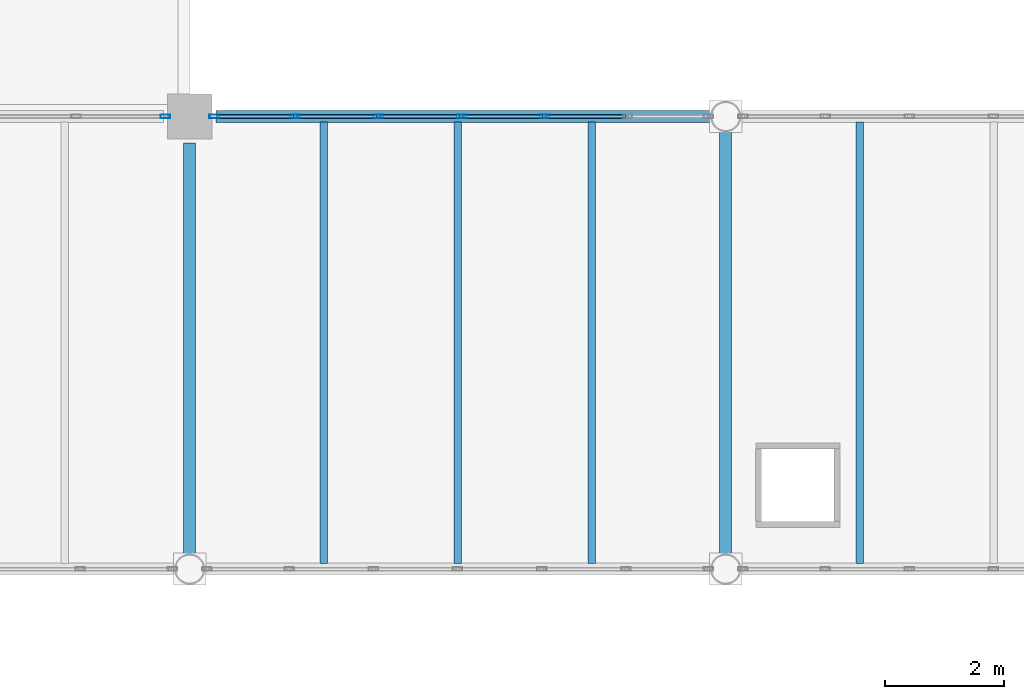
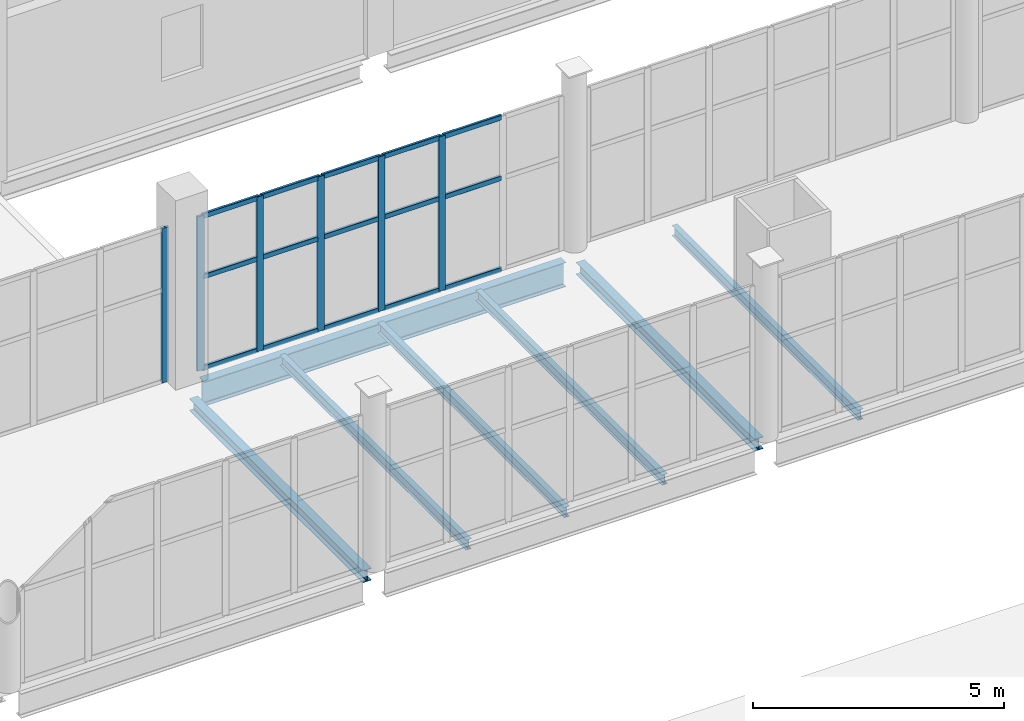
# One storey, part 64 of 136: 21 members, 7 beams, 2 elements without a shape of their own.
"""IFC4 building model written with IfcOpenShell, lengths in metres."""

from ifc_helpers import new_model, si_unit, direction, frame, origin, origin_2d, place, context, subcontext, project, spatial, hollow_rectangle, i_section, extrude, material, material_profile, profile_set, type_object, element, aggregate, save


model = new_model("IFC4")

# Units and contexts
model_context = context("Model", 3, precision=1e-05, world=origin(), true_north=direction((0.0, 1.0)))
body_context = subcontext(model_context, "Body", "Model", "MODEL_VIEW")
ifc_project = project(units=[si_unit("LENGTHUNIT", "METRE"), si_unit("AREAUNIT", "SQUARE_METRE"), si_unit("VOLUMEUNIT", "CUBIC_METRE"), si_unit("PLANEANGLEUNIT", "RADIAN"), si_unit("MASSUNIT", "GRAM", prefix="KILO")], contexts=[model_context])

# Site, building, storey
site_placement = place(None, origin())
site = spatial("IfcSite", under=ifc_project, at=site_placement, CompositionType="ELEMENT")
building_placement = place(site_placement, origin())
building = spatial("IfcBuilding", under=site, at=building_placement, Name="Shengluoqiao Park Theatre", CompositionType="ELEMENT")
storey_placement = place(building_placement, frame((0.0, 0.0, 10.0)))
storey = spatial("IfcBuildingStorey", under=building, at=storey_placement, Name="L02", CompositionType="ELEMENT", Elevation=10.0)

# Curtain wall, member
ifc_material_1 = material(Name="Aluminium 6063-T6", Category="aluminium")
curtain_wall_type = type_object("IfcCurtainWallType", Name="ENV-CW-BRIDGE", PredefinedType="NOTDEFINED", material=ifc_material_1)
curtain_wall_1_placement = place(storey_placement, origin())
curtain_wall_1 = element("IfcCurtainWall", 1, at=curtain_wall_1_placement, inside=storey, type_object=curtain_wall_type, Name="L02 Curtain Wall CWX-L02-0117", PredefinedType="NOTDEFINED")
ifc_material_profile_1 = material_profile(ifc_material_1, hollow_rectangle(XDim=0.06005859375, YDim=0.159912109375, WallThickness=0.00390625, InnerFilletRadius=0.00390625, OuterFilletRadius=0.008056640625, at=origin_2d()), Name="ALU MULLION 160x60x4")
ifc_profile_set_1 = profile_set([ifc_material_profile_1], Name="Aluminium 6063-T6")
member_type_1 = type_object("IfcMemberType", Name="ENV-MUL-160", PredefinedType="MULLION", material=ifc_profile_set_1)
member_1_placement = place(storey_placement, frame((111.990966796875, 76.0, 0.0), z_axis=(0.0, 0.0, 1.0), x_axis=(0.0, 1.0, 0.0)))
member_1 = element("IfcMember", 2, at=member_1_placement, type_object=member_type_1, Name="CW-03 mullion 6", PredefinedType="MULLION", context=body_context, shape_type="SweptSolid", body=[
    extrude(hollow_rectangle(XDim=0.06005859375, YDim=0.159912109375, WallThickness=0.00390625, InnerFilletRadius=0.00390625, OuterFilletRadius=0.008056640625, at=origin_2d()), origin(), (0.0, 0.0, 1.0), 3.751953125),
])
aggregate(curtain_wall_1, [member_1])

# Curtain wall, members
curtain_wall_2_placement = place(storey_placement, origin())
curtain_wall_2 = element("IfcCurtainWall", 3, at=curtain_wall_2_placement, inside=storey, type_object=curtain_wall_type, Name="L02 Curtain Wall CWX-L02-0118", PredefinedType="NOTDEFINED")
member_2_placement = place(storey_placement, frame((112.80908203125, 76.0, 0.0), z_axis=(0.0, 0.0, 1.0), x_axis=(0.0, 1.0, 0.0)))
member_2 = element("IfcMember", 4, at=member_2_placement, type_object=member_type_1, Name="CW-03 mullion 1", PredefinedType="MULLION", context=body_context, shape_type="SweptSolid", body=[
    extrude(hollow_rectangle(XDim=0.06005859375, YDim=0.159912109375, WallThickness=0.00390625, InnerFilletRadius=0.00390625, OuterFilletRadius=0.008056640625, at=origin_2d()), origin(), (0.0, 0.0, 1.0), 3.751953125),
])
member_3_placement = place(storey_placement, frame((114.1728515625, 76.0, 0.0), z_axis=(0.0, 0.0, 1.0), x_axis=(0.0, 1.0, 0.0)))
member_3 = element("IfcMember", 5, at=member_3_placement, type_object=member_type_1, Name="CW-03 mullion 2", PredefinedType="MULLION", context=body_context, shape_type="SweptSolid", body=[
    extrude(hollow_rectangle(XDim=0.06005859375, YDim=0.159912109375, WallThickness=0.00390625, InnerFilletRadius=0.00390625, OuterFilletRadius=0.008056640625, at=origin_2d()), origin(), (0.0, 0.0, 1.0), 3.751953125),
])
member_4_placement = place(storey_placement, frame((115.566650390625, 76.0, 0.0), z_axis=(0.0, 0.0, 1.0), x_axis=(0.0, 1.0, 0.0)))
member_4 = element("IfcMember", 6, at=member_4_placement, type_object=member_type_1, Name="CW-03 mullion 3", PredefinedType="MULLION", context=body_context, shape_type="SweptSolid", body=[
    extrude(hollow_rectangle(XDim=0.06005859375, YDim=0.159912109375, WallThickness=0.00390625, InnerFilletRadius=0.00390625, OuterFilletRadius=0.008056640625, at=origin_2d()), origin(), (0.0, 0.0, 1.0), 3.751953125),
])
member_5_placement = place(storey_placement, frame((116.96044921875, 76.0, 0.0), z_axis=(0.0, 0.0, 1.0), x_axis=(0.0, 1.0, 0.0)))
member_5 = element("IfcMember", 7, at=member_5_placement, type_object=member_type_1, Name="CW-03 mullion 4", PredefinedType="MULLION", context=body_context, shape_type="SweptSolid", body=[
    extrude(hollow_rectangle(XDim=0.06005859375, YDim=0.159912109375, WallThickness=0.00390625, InnerFilletRadius=0.00390625, OuterFilletRadius=0.008056640625, at=origin_2d()), origin(), (0.0, 0.0, 1.0), 3.751953125),
])
member_6_placement = place(storey_placement, frame((118.354248046875, 76.0, 0.0), z_axis=(0.0, 0.0, 1.0), x_axis=(0.0, 1.0, 0.0)))
member_6 = element("IfcMember", 8, at=member_6_placement, type_object=member_type_1, Name="CW-03 mullion 5", PredefinedType="MULLION", context=body_context, shape_type="SweptSolid", body=[
    extrude(hollow_rectangle(XDim=0.06005859375, YDim=0.159912109375, WallThickness=0.00390625, InnerFilletRadius=0.00390625, OuterFilletRadius=0.008056640625, at=origin_2d()), origin(), (0.0, 0.0, 1.0), 3.751953125),
])
ifc_material_profile_2 = material_profile(ifc_material_1, hollow_rectangle(XDim=0.06005859375, YDim=0.1201171875, WallThickness=0.00390625, InnerFilletRadius=0.00390625, OuterFilletRadius=0.008056640625, at=origin_2d()), Name="ALU TRANSOM 120x60x4")
ifc_profile_set_2 = profile_set([ifc_material_profile_2], Name="Aluminium 6063-T6")
member_type_2 = type_object("IfcMemberType", Name="ENV-TRN-120", PredefinedType="USERDEFINED", material=ifc_profile_set_2)
member_7_placement = place(storey_placement, frame((112.839111328125, 76.0, 0.030029296875), z_axis=(1.0, 0.0, 0.0), x_axis=(0.0, 1.0, 0.0)))
member_7 = element("IfcMember", 9, at=member_7_placement, type_object=member_type_2, Name="CW-03 transom 1.1", ObjectType="TRANSOM", PredefinedType="USERDEFINED", context=body_context, shape_type="SweptSolid", body=[
    extrude(hollow_rectangle(XDim=0.06005859375, YDim=0.1201171875, WallThickness=0.00390625, InnerFilletRadius=0.00390625, OuterFilletRadius=0.008056640625, at=origin_2d()), origin(), (0.0, 0.0, 1.0), 1.3037109375),
])
member_8_placement = place(storey_placement, frame((112.839111328125, 76.0, 2.2509765625), z_axis=(1.0, 0.0, 0.0), x_axis=(0.0, 1.0, 0.0)))
member_8 = element("IfcMember", 10, at=member_8_placement, type_object=member_type_2, Name="CW-03 transom 1.2", ObjectType="TRANSOM", PredefinedType="USERDEFINED", context=body_context, shape_type="SweptSolid", body=[
    extrude(hollow_rectangle(XDim=0.06005859375, YDim=0.1201171875, WallThickness=0.00390625, InnerFilletRadius=0.00390625, OuterFilletRadius=0.008056640625, at=origin_2d()), origin(), (0.0, 0.0, 1.0), 1.3037109375),
])
member_9_placement = place(storey_placement, frame((112.839111328125, 76.0, 3.721923828125), z_axis=(1.0, 0.0, 0.0), x_axis=(0.0, 1.0, 0.0)))
member_9 = element("IfcMember", 11, at=member_9_placement, type_object=member_type_2, Name="CW-03 transom 1.3", ObjectType="TRANSOM", PredefinedType="USERDEFINED", context=body_context, shape_type="SweptSolid", body=[
    extrude(hollow_rectangle(XDim=0.06005859375, YDim=0.1201171875, WallThickness=0.00390625, InnerFilletRadius=0.00390625, OuterFilletRadius=0.008056640625, at=origin_2d()), origin(), (0.0, 0.0, 1.0), 1.3037109375),
])
member_10_placement = place(storey_placement, frame((114.202880859375, 76.0, 0.030029296875), z_axis=(1.0, 0.0, 0.0), x_axis=(0.0, 1.0, 0.0)))
member_10 = element("IfcMember", 12, at=member_10_placement, type_object=member_type_2, Name="CW-03 transom 2.1", ObjectType="TRANSOM", PredefinedType="USERDEFINED", context=body_context, shape_type="SweptSolid", body=[
    extrude(hollow_rectangle(XDim=0.06005859375, YDim=0.1201171875, WallThickness=0.00390625, InnerFilletRadius=0.00390625, OuterFilletRadius=0.008056640625, at=origin_2d()), origin(), (0.0, 0.0, 1.0), 1.333740234375),
])
member_11_placement = place(storey_placement, frame((114.202880859375, 76.0, 2.2509765625), z_axis=(1.0, 0.0, 0.0), x_axis=(0.0, 1.0, 0.0)))
member_11 = element("IfcMember", 13, at=member_11_placement, type_object=member_type_2, Name="CW-03 transom 2.2", ObjectType="TRANSOM", PredefinedType="USERDEFINED", context=body_context, shape_type="SweptSolid", body=[
    extrude(hollow_rectangle(XDim=0.06005859375, YDim=0.1201171875, WallThickness=0.00390625, InnerFilletRadius=0.00390625, OuterFilletRadius=0.008056640625, at=origin_2d()), origin(), (0.0, 0.0, 1.0), 1.333740234375),
])
member_12_placement = place(storey_placement, frame((114.202880859375, 76.0, 3.721923828125), z_axis=(1.0, 0.0, 0.0), x_axis=(0.0, 1.0, 0.0)))
member_12 = element("IfcMember", 14, at=member_12_placement, type_object=member_type_2, Name="CW-03 transom 2.3", ObjectType="TRANSOM", PredefinedType="USERDEFINED", context=body_context, shape_type="SweptSolid", body=[
    extrude(hollow_rectangle(XDim=0.06005859375, YDim=0.1201171875, WallThickness=0.00390625, InnerFilletRadius=0.00390625, OuterFilletRadius=0.008056640625, at=origin_2d()), origin(), (0.0, 0.0, 1.0), 1.333740234375),
])
member_13_placement = place(storey_placement, frame((115.5966796875, 76.0, 0.030029296875), z_axis=(1.0, 0.0, 0.0), x_axis=(0.0, 1.0, 0.0)))
member_13 = element("IfcMember", 15, at=member_13_placement, type_object=member_type_2, Name="CW-03 transom 3.1", ObjectType="TRANSOM", PredefinedType="USERDEFINED", context=body_context, shape_type="SweptSolid", body=[
    extrude(hollow_rectangle(XDim=0.06005859375, YDim=0.1201171875, WallThickness=0.00390625, InnerFilletRadius=0.00390625, OuterFilletRadius=0.008056640625, at=origin_2d()), origin(), (0.0, 0.0, 1.0), 1.333740234375),
])
member_14_placement = place(storey_placement, frame((115.5966796875, 76.0, 2.2509765625), z_axis=(1.0, 0.0, 0.0), x_axis=(0.0, 1.0, 0.0)))
member_14 = element("IfcMember", 16, at=member_14_placement, type_object=member_type_2, Name="CW-03 transom 3.2", ObjectType="TRANSOM", PredefinedType="USERDEFINED", context=body_context, shape_type="SweptSolid", body=[
    extrude(hollow_rectangle(XDim=0.06005859375, YDim=0.1201171875, WallThickness=0.00390625, InnerFilletRadius=0.00390625, OuterFilletRadius=0.008056640625, at=origin_2d()), origin(), (0.0, 0.0, 1.0), 1.333740234375),
])
member_15_placement = place(storey_placement, frame((115.5966796875, 76.0, 3.721923828125), z_axis=(1.0, 0.0, 0.0), x_axis=(0.0, 1.0, 0.0)))
member_15 = element("IfcMember", 17, at=member_15_placement, type_object=member_type_2, Name="CW-03 transom 3.3", ObjectType="TRANSOM", PredefinedType="USERDEFINED", context=body_context, shape_type="SweptSolid", body=[
    extrude(hollow_rectangle(XDim=0.06005859375, YDim=0.1201171875, WallThickness=0.00390625, InnerFilletRadius=0.00390625, OuterFilletRadius=0.008056640625, at=origin_2d()), origin(), (0.0, 0.0, 1.0), 1.333740234375),
])
member_16_placement = place(storey_placement, frame((116.990478515625, 76.0, 0.030029296875), z_axis=(1.0, 0.0, 0.0), x_axis=(0.0, 1.0, 0.0)))
member_16 = element("IfcMember", 18, at=member_16_placement, type_object=member_type_2, Name="CW-03 transom 4.1", ObjectType="TRANSOM", PredefinedType="USERDEFINED", context=body_context, shape_type="SweptSolid", body=[
    extrude(hollow_rectangle(XDim=0.06005859375, YDim=0.1201171875, WallThickness=0.00390625, InnerFilletRadius=0.00390625, OuterFilletRadius=0.008056640625, at=origin_2d()), origin(), (0.0, 0.0, 1.0), 1.333740234375),
])
member_17_placement = place(storey_placement, frame((116.990478515625, 76.0, 2.2509765625), z_axis=(1.0, 0.0, 0.0), x_axis=(0.0, 1.0, 0.0)))
member_17 = element("IfcMember", 19, at=member_17_placement, type_object=member_type_2, Name="CW-03 transom 4.2", ObjectType="TRANSOM", PredefinedType="USERDEFINED", context=body_context, shape_type="SweptSolid", body=[
    extrude(hollow_rectangle(XDim=0.06005859375, YDim=0.1201171875, WallThickness=0.00390625, InnerFilletRadius=0.00390625, OuterFilletRadius=0.008056640625, at=origin_2d()), origin(), (0.0, 0.0, 1.0), 1.333740234375),
])
member_18_placement = place(storey_placement, frame((116.990478515625, 76.0, 3.721923828125), z_axis=(1.0, 0.0, 0.0), x_axis=(0.0, 1.0, 0.0)))
member_18 = element("IfcMember", 20, at=member_18_placement, type_object=member_type_2, Name="CW-03 transom 4.3", ObjectType="TRANSOM", PredefinedType="USERDEFINED", context=body_context, shape_type="SweptSolid", body=[
    extrude(hollow_rectangle(XDim=0.06005859375, YDim=0.1201171875, WallThickness=0.00390625, InnerFilletRadius=0.00390625, OuterFilletRadius=0.008056640625, at=origin_2d()), origin(), (0.0, 0.0, 1.0), 1.333740234375),
])
member_19_placement = place(storey_placement, frame((118.38427734375, 76.0, 0.030029296875), z_axis=(1.0, 0.0, 0.0), x_axis=(0.0, 1.0, 0.0)))
member_19 = element("IfcMember", 21, at=member_19_placement, type_object=member_type_2, Name="CW-03 transom 5.1", ObjectType="TRANSOM", PredefinedType="USERDEFINED", context=body_context, shape_type="SweptSolid", body=[
    extrude(hollow_rectangle(XDim=0.06005859375, YDim=0.1201171875, WallThickness=0.00390625, InnerFilletRadius=0.00390625, OuterFilletRadius=0.008056640625, at=origin_2d()), origin(), (0.0, 0.0, 1.0), 1.333984375),
])
member_20_placement = place(storey_placement, frame((118.38427734375, 76.0, 2.2509765625), z_axis=(1.0, 0.0, 0.0), x_axis=(0.0, 1.0, 0.0)))
member_20 = element("IfcMember", 22, at=member_20_placement, type_object=member_type_2, Name="CW-03 transom 5.2", ObjectType="TRANSOM", PredefinedType="USERDEFINED", context=body_context, shape_type="SweptSolid", body=[
    extrude(hollow_rectangle(XDim=0.06005859375, YDim=0.1201171875, WallThickness=0.00390625, InnerFilletRadius=0.00390625, OuterFilletRadius=0.008056640625, at=origin_2d()), origin(), (0.0, 0.0, 1.0), 1.333984375),
])
member_21_placement = place(storey_placement, frame((118.38427734375, 76.0, 3.721923828125), z_axis=(1.0, 0.0, 0.0), x_axis=(0.0, 1.0, 0.0)))
member_21 = element("IfcMember", 23, at=member_21_placement, type_object=member_type_2, Name="CW-03 transom 5.3", ObjectType="TRANSOM", PredefinedType="USERDEFINED", context=body_context, shape_type="SweptSolid", body=[
    extrude(hollow_rectangle(XDim=0.06005859375, YDim=0.1201171875, WallThickness=0.00390625, InnerFilletRadius=0.00390625, OuterFilletRadius=0.008056640625, at=origin_2d()), origin(), (0.0, 0.0, 1.0), 1.333984375),
])
aggregate(curtain_wall_2, [member_2, member_3, member_4, member_5, member_6, member_7, member_8, member_9, member_10, member_11, member_12, member_13, member_14, member_15, member_16, member_17, member_18, member_19, member_20, member_21])

# Beams
ifc_material_2 = material(Name="Steel Q355", Category="steel")
ifc_material_profile_3 = material_profile(ifc_material_2, i_section(OverallWidth=0.199951171875, OverallDepth=0.2939453125, WebThickness=0.008056640625, FlangeThickness=0.011962890625, FilletRadius=0.01611328125, at=origin_2d()), Name="HM 294x200x8x12")
ifc_profile_set_3 = profile_set([ifc_material_profile_3], Name="Steel Q355")
beam_type_1 = type_object("IfcBeamType", Name="STR-BM-G-HM294", PredefinedType="BEAM", material=ifc_profile_set_3)
beam_1_placement = place(storey_placement, frame((112.39990234375, 68.64794921875, -0.39697265625), z_axis=(0.0, 1.0, 0.0), x_axis=(-1.0, 0.0, 0.0)))
element("IfcBeam", 24, at=beam_1_placement, inside=storey, type_object=beam_type_1, Name="L02 Transverse Girder 01023", PredefinedType="BEAM", context=body_context, shape_type="SweptSolid", body=[
    extrude(i_section(OverallWidth=0.199951171875, OverallDepth=0.2939453125, WebThickness=0.008056640625, FlangeThickness=0.011962890625, FilletRadius=0.01611328125, at=origin_2d()), origin(), (0.0, 0.0, 1.0), 6.907958984375),
])
beam_2_placement = place(storey_placement, frame((121.39990234375, 68.64794921875, -0.35693359375), z_axis=(0.0, 1.0, 0.0), x_axis=(-1.0, 0.0, 0.0)))
element("IfcBeam", 25, at=beam_2_placement, inside=storey, type_object=beam_type_1, Name="L02 Transverse Girder 01024", PredefinedType="BEAM", context=body_context, shape_type="SweptSolid", body=[
    extrude(i_section(OverallWidth=0.199951171875, OverallDepth=0.2939453125, WebThickness=0.008056640625, FlangeThickness=0.011962890625, FilletRadius=0.01611328125, at=origin_2d()), origin(), (0.0, 0.0, 1.0), 7.10400390625),
])
ifc_material_profile_4 = material_profile(ifc_material_2, i_section(OverallWidth=0.125, OverallDepth=0.25, WebThickness=0.006103515625, FlangeThickness=0.009033203125, FilletRadius=0.010009765625, at=origin_2d()), Name="HN 250x125x6x9")
ifc_profile_set_4 = profile_set([ifc_material_profile_4], Name="Steel Q355")
beam_type_2 = type_object("IfcBeamType", Name="STR-BM-J-HN250", PredefinedType="JOIST", material=ifc_profile_set_4)
for number, where, z_axis, x_axis, name in (
    (26, (114.64990234375, 68.494384765625, -0.3349609375), (0.0, 1.0, 0.0), (-1.0, 0.0, 0.0), "L02 Composite Joist 01038"),
    (27, (116.89990234375, 68.494384765625, -0.3349609375), (0.0, 1.0, 0.0), (-1.0, 0.0, 0.0), "L02 Composite Joist 01039"),
    (28, (119.14990234375, 68.494384765625, -0.3349609375), (0.0, 1.0, 0.0), (-1.0, 0.0, 0.0), "L02 Composite Joist 01040"),
    (29, (123.64990234375, 68.494384765625, -0.3349609375), (0.0, 1.0, 0.0), (-1.0, 0.0, 0.0), "L02 Composite Joist 01041"),
):
    element("IfcBeam", number, at=place(storey_placement, frame(where, z_axis=z_axis, x_axis=x_axis)), inside=storey, type_object=beam_type_2, Name=name, PredefinedType="JOIST", context=body_context, shape_type="SweptSolid", body=[
        extrude(i_section(OverallWidth=0.125, OverallDepth=0.25, WebThickness=0.006103515625, FlangeThickness=0.009033203125, FilletRadius=0.010009765625, at=origin_2d()), origin(), (0.0, 0.0, 1.0), 7.4111328125),
    ])
ifc_material_profile_5 = material_profile(ifc_material_2, i_section(OverallWidth=0.198974609375, OverallDepth=0.595947265625, WebThickness=0.010009765625, FlangeThickness=0.014892578125, FilletRadius=0.02001953125, at=origin_2d()), Name="HN 596x199x10x15")
ifc_profile_set_5 = profile_set([ifc_material_profile_5], Name="Steel Q355")
beam_type_3 = type_object("IfcBeamType", Name="STR-BM-SP-HN596", PredefinedType="SPANDREL", material=ifc_profile_set_5)
beam_3_placement = place(storey_placement, frame((112.843994140625, 76.0, -0.548095703125), z_axis=(1.0, 0.0, 0.0), x_axis=(0.0, 1.0, 0.0)))
element("IfcBeam", 30, at=beam_3_placement, inside=storey, type_object=beam_type_3, Name="L02 Primary Girder 01016", PredefinedType="SPANDREL", context=body_context, shape_type="SweptSolid", body=[
    extrude(i_section(OverallWidth=0.198974609375, OverallDepth=0.595947265625, WebThickness=0.010009765625, FlangeThickness=0.014892578125, FilletRadius=0.02001953125, at=origin_2d()), origin(), (0.0, 0.0, 1.0), 8.30810546875),
])

save(model, "model.ifc")
